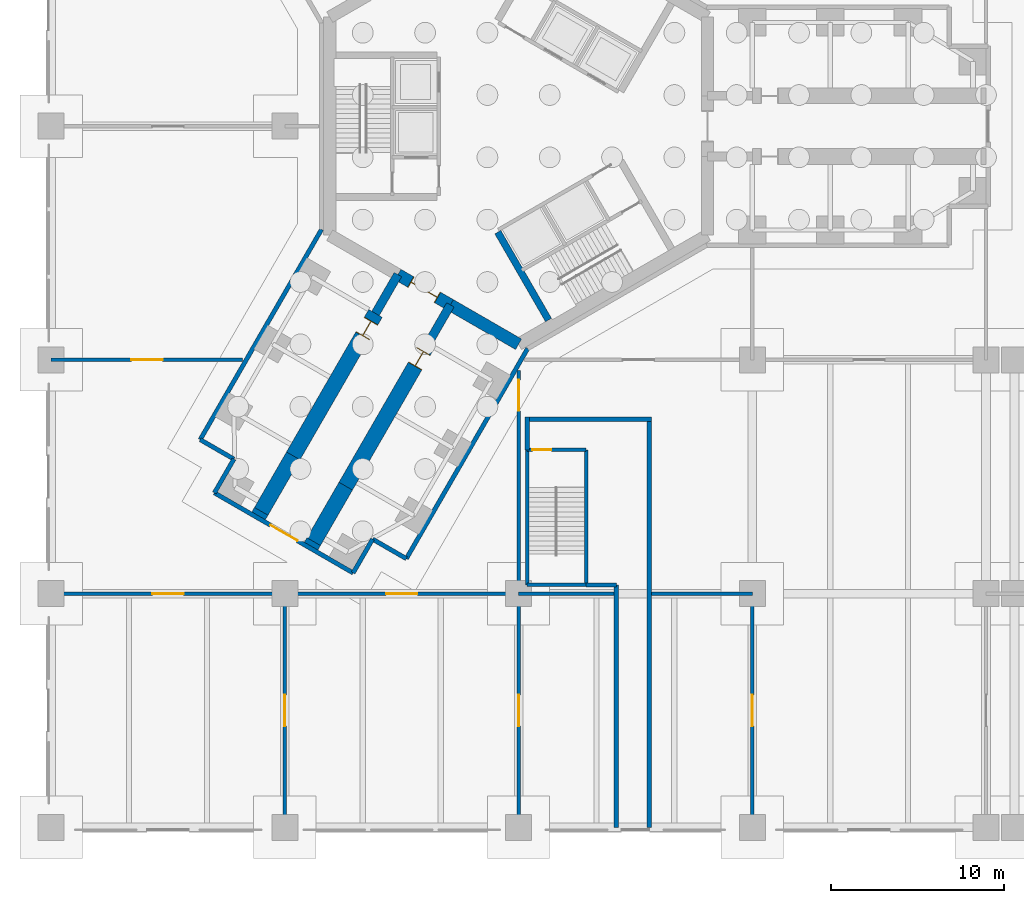
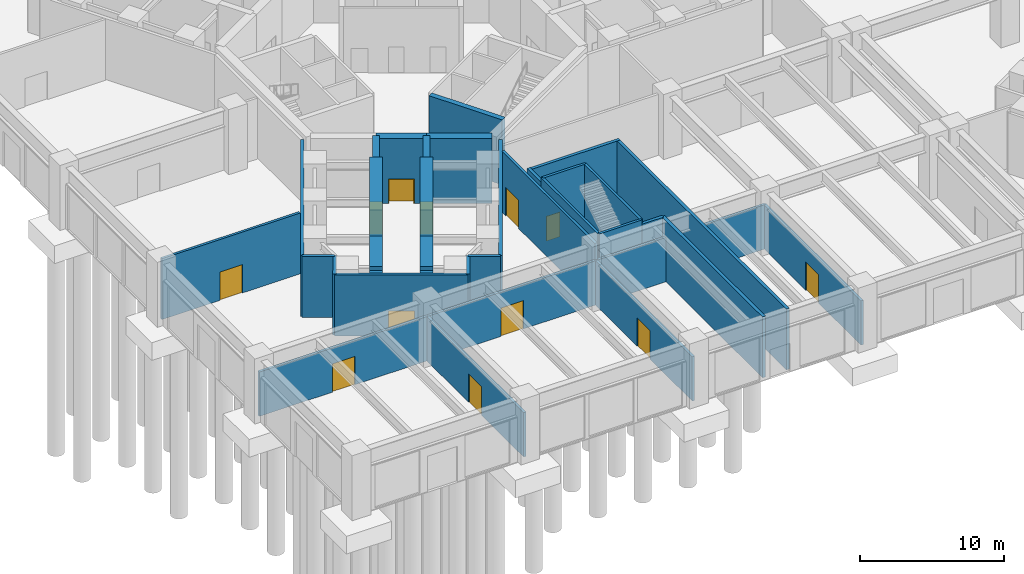
# One storey, part 5 of 18: 36 walls, 12 doors, 12 openings.
"""IFC4 building model written with IfcOpenShell, lengths in metres."""

from ifc_helpers import new_model, si_unit, direction, frame, frame_2d, origin, place, context, subcontext, project, spatial, rectangle, extrude, material, layer, layer_set, type_object, element, fill, save


model = new_model("IFC4")

# Units and contexts
model_context = context("Model", 3, precision=1e-05, world=origin(), true_north=direction((0.0, 1.0)))
body_context = subcontext(model_context, "Body", "Model", "MODEL_VIEW")
ifc_project = project(units=[si_unit("LENGTHUNIT", "METRE"), si_unit("AREAUNIT", "SQUARE_METRE"), si_unit("VOLUMEUNIT", "CUBIC_METRE"), si_unit("PLANEANGLEUNIT", "RADIAN"), si_unit("MASSUNIT", "GRAM", prefix="KILO")], contexts=[model_context])

# Site, building, storey
site_placement = place(None, origin())
site = spatial("IfcSite", under=ifc_project, at=site_placement, CompositionType="ELEMENT")
building_placement = place(site_placement, origin())
building = spatial("IfcBuilding", under=site, at=building_placement, Name="Upepo Twin Towers", CompositionType="ELEMENT")
storey_placement = place(building_placement, origin())
storey = spatial("IfcBuildingStorey", under=building, at=storey_placement, Name="L00", CompositionType="ELEMENT", Elevation=0.0)

# Walls
ifc_material_1 = material(Name="Dense concrete blockwork", Category="masonry")
ifc_layer_1 = layer(ifc_material_1, 0.89990234375)
ifc_layer_set_1 = layer_set([ifc_layer_1], Name="Buttress closer 900, blockwork with fire-stopping to the curtain wall")
wall_type_1 = type_object("IfcWallType", Name="Buttress closer 900, blockwork with fire-stopping to the curtain wall", PredefinedType="PARTITIONING", material=ifc_layer_set_1)
wall_1_placement = place(storey_placement, frame((-11.83447265625, -23.997802734375, 0.0), z_axis=(0.0, 0.0, 1.0), x_axis=(-0.499816412211, -0.866131372301, 0.0)))
element("IfcWall", 1, at=wall_1_placement, inside=storey, type_object=wall_type_1, Name="T1 L00 wing C buttress closer L", PredefinedType="PARTITIONING", context=body_context, shape_type="SweptSolid", body=[
    extrude(rectangle(XDim=0.2998046875, YDim=0.89990234375, at=frame_2d((0.14990234375, 0.0))), origin(), (0.0, 0.0, 1.0), 5.14990234375),
])
wall_2_placement = place(storey_placement, frame((-14.865478515625, -22.247802734375, 0.0), z_axis=(0.0, 0.0, 1.0), x_axis=(-0.500426713919, -0.865778900179, 0.0)))
element("IfcWall", 2, at=wall_2_placement, inside=storey, type_object=wall_type_1, Name="T1 L00 wing C buttress closer R", PredefinedType="PARTITIONING", context=body_context, shape_type="SweptSolid", body=[
    extrude(rectangle(XDim=0.300048828125, YDim=0.89990234375, at=frame_2d((0.14990234375, 0.0))), origin(), (0.0, 0.0, 1.0), 5.14990234375),
])
ifc_material_2 = material(Name="Concrete C60/75", Category="concrete")
ifc_layer_2 = layer(ifc_material_2, 0.5)
ifc_layer_set_2 = layer_set([ifc_layer_2], Name="Concrete C60/75")
wall_type_2 = type_object("IfcWallType", Name="Buttress wall 500 RC", PredefinedType="SHEAR", material=ifc_layer_set_2)
for number, where, z_axis, x_axis, name in (
    (3, (-3.938720703125, -10.32177734375, 0.0), (0.0, 0.0, 1.0), (-0.499918158782, -0.866072649678, 0.0), "T1 wing C buttress wall L"),
    (4, (-6.9697265625, -8.57177734375, 0.0), (0.0, 0.0, 1.0), (-0.499988811324, -0.866031863473, 0.0), "T1 wing C buttress wall R"),
):
    element("IfcWall", number, at=place(storey_placement, frame(where, z_axis=z_axis, x_axis=x_axis)), inside=storey, type_object=wall_type_2, Name=name, PredefinedType="SHEAR", context=body_context, shape_type="SweptSolid", body=[
        extrude(rectangle(XDim=2.591796875, YDim=0.5, at=frame_2d((1.2958984375, 0.0))), origin(), (0.0, 0.0, 1.0), 5.5),
    ])

# Wall, opening, door
ifc_material_3 = material(Name="Concrete C60/75", Category="concrete")
ifc_layer_3 = layer(ifc_material_3, 0.89990234375)
ifc_layer_set_3 = layer_set([ifc_layer_3], Name="Concrete C60/75")
wall_type_3 = type_object("IfcWallType", Name="Buttress wall 900 RC", PredefinedType="SHEAR", material=ifc_layer_set_3)
wall_3_placement = place(storey_placement, frame((-5.234375, -12.56640625, 0.0), z_axis=(0.0, 0.0, 1.0), x_axis=(-0.499997557548, -0.86602681393, 0.0)))
wall_3 = element("IfcWall", 5, at=wall_3_placement, inside=storey, type_object=wall_type_3, Name="T1 wing C buttress wall L part 2", PredefinedType="SHEAR", context=body_context, shape_type="SweptSolid", body=[
    extrude(rectangle(XDim=9.5, YDim=0.89990234375, at=frame_2d((4.75, 0.0))), origin(), (0.0, 0.0, 1.0), 5.5),
])
opening_1_placement = place(wall_3_placement, frame((0.5, 0.0, 0.0)))
opening_1 = element("IfcOpeningElement", 6, at=opening_1_placement, cuts=wall_3, Name="Opening D1", PredefinedType="OPENING", context=body_context, shape_type="SweptSolid", body=[
    extrude(rectangle(XDim=1.0, YDim=2.10009765625, at=frame_2d((0.5, 1.050048828125))), frame((0.0, 0.4599609375, 0.0), z_axis=(0.0, -1.0, 0.0), x_axis=(1.0, 0.0, 0.0)), (0.0, 0.0, 1.0), 0.919921875),
])
ifc_material_4 = material(Name="Timber doorset", Category="wood")
door_type_1 = type_object("IfcDoorType", Name="Room door 1000 FD30", OperationType="SINGLE_SWING_LEFT", PredefinedType="DOOR", material=ifc_material_4)
door_1_placement = place(opening_1_placement, origin())
door_1 = element("IfcDoor", 7, at=door_1_placement, inside=storey, type_object=door_type_1, Name="T1 L00 student advice centre door", OperationType="SINGLE_SWING_LEFT", OverallHeight=2.10009765625, OverallWidth=1.0, PredefinedType="DOOR", context=body_context, shape_type="SweptSolid", body=[
    extrude(rectangle(XDim=0.92, YDim=2.06009765625, at=frame_2d((0.5, 1.030029296875))), frame((0.0, 0.02490234375, 0.0), z_axis=(0.0, -1.0, 0.0), x_axis=(1.0, 0.0, 0.0)), (0.0, 0.0, 1.0), 0.050048828125),
    extrude(rectangle(XDim=0.04, YDim=2.10009765625, at=frame_2d((0.02001953125, 1.050048828125))), frame((0.0, 0.44970703125, 0.0), z_axis=(0.0, -1.0, 0.0), x_axis=(1.0, 0.0, 0.0)), (0.0, 0.0, 1.0), 0.8994140625),
    extrude(rectangle(XDim=0.04, YDim=2.10009765625, at=frame_2d((0.97998046875, 1.050048828125))), frame((0.0, 0.44970703125, 0.0), z_axis=(0.0, -1.0, 0.0), x_axis=(1.0, 0.0, 0.0)), (0.0, 0.0, 1.0), 0.8994140625),
    extrude(rectangle(XDim=0.92, YDim=0.04, at=frame_2d((0.5, 2.080078125))), frame((0.0, 0.44970703125, 0.0), z_axis=(0.0, -1.0, 0.0), x_axis=(1.0, 0.0, 0.0)), (0.0, 0.0, 1.0), 0.8994140625),
])
fill(opening_1, door_1)

# Wall
wall_4_placement = place(storey_placement, frame((-9.984375, -20.793701171875, 0.0), z_axis=(0.0, 0.0, 1.0), x_axis=(-0.500042316284, -0.866000971088, 0.0)))
element("IfcWall", 8, at=wall_4_placement, inside=storey, type_object=wall_type_3, Name="T1 wing C buttress wall L part 3", PredefinedType="SHEAR", context=body_context, shape_type="SweptSolid", body=[
    extrude(rectangle(XDim=3.699951171875, YDim=0.89990234375, at=frame_2d((1.85009765625, 0.0))), origin(), (0.0, 0.0, 1.0), 5.5),
])

# Wall, opening, door
wall_5_placement = place(storey_placement, frame((-8.265625, -10.81640625, 0.0), z_axis=(0.0, 0.0, 1.0), x_axis=(-0.499997557548, -0.86602681393, 0.0)))
wall_5 = element("IfcWall", 9, at=wall_5_placement, inside=storey, type_object=wall_type_3, Name="T1 wing C buttress wall R part 2", PredefinedType="SHEAR", context=body_context, shape_type="SweptSolid", body=[
    extrude(rectangle(XDim=9.5, YDim=0.89990234375, at=frame_2d((4.75, 0.0))), origin(), (0.0, 0.0, 1.0), 5.5),
])
opening_2_placement = place(wall_5_placement, frame((0.5, 0.0, 0.0)))
opening_2 = element("IfcOpeningElement", 10, at=opening_2_placement, cuts=wall_5, Name="Opening D1", PredefinedType="OPENING", context=body_context, shape_type="SweptSolid", body=[
    extrude(rectangle(XDim=1.0, YDim=2.10009765625, at=frame_2d((0.5, 1.050048828125))), frame((0.0, 0.4599609375, 0.0), z_axis=(0.0, -1.0, 0.0), x_axis=(1.0, 0.0, 0.0)), (0.0, 0.0, 1.0), 0.919921875),
])
door_2_placement = place(opening_2_placement, origin())
door_2 = element("IfcDoor", 11, at=door_2_placement, inside=storey, type_object=door_type_1, Name="T1 L00 student advice centre door", OperationType="SINGLE_SWING_LEFT", OverallHeight=2.10009765625, OverallWidth=1.0, PredefinedType="DOOR", context=body_context, shape_type="SweptSolid", body=[
    extrude(rectangle(XDim=0.92, YDim=2.06009765625, at=frame_2d((0.5, 1.030029296875))), frame((0.0, 0.02490234375, 0.0), z_axis=(0.0, -1.0, 0.0), x_axis=(1.0, 0.0, 0.0)), (0.0, 0.0, 1.0), 0.050048828125),
    extrude(rectangle(XDim=0.04, YDim=2.10009765625, at=frame_2d((0.02001953125, 1.050048828125))), frame((0.0, 0.44970703125, 0.0), z_axis=(0.0, -1.0, 0.0), x_axis=(1.0, 0.0, 0.0)), (0.0, 0.0, 1.0), 0.8994140625),
    extrude(rectangle(XDim=0.04, YDim=2.10009765625, at=frame_2d((0.97998046875, 1.050048828125))), frame((0.0, 0.44970703125, 0.0), z_axis=(0.0, -1.0, 0.0), x_axis=(1.0, 0.0, 0.0)), (0.0, 0.0, 1.0), 0.8994140625),
    extrude(rectangle(XDim=0.92, YDim=0.04, at=frame_2d((0.5, 2.080078125))), frame((0.0, 0.44970703125, 0.0), z_axis=(0.0, -1.0, 0.0), x_axis=(1.0, 0.0, 0.0)), (0.0, 0.0, 1.0), 0.8994140625),
])
fill(opening_2, door_2)

# Wall
wall_6_placement = place(storey_placement, frame((-13.015625, -19.043701171875, 0.0), z_axis=(0.0, 0.0, 1.0), x_axis=(-0.499992827086, -0.866029545028, 0.0)))
element("IfcWall", 12, at=wall_6_placement, inside=storey, type_object=wall_type_3, Name="T1 wing C buttress wall R part 3", PredefinedType="SHEAR", context=body_context, shape_type="SweptSolid", body=[
    extrude(rectangle(XDim=3.69970703125, YDim=0.89990234375, at=frame_2d((1.849853515625, 0.0))), origin(), (0.0, 0.0, 1.0), 5.5),
])

# Wall, opening, door
ifc_material_5 = material(Name="Concrete C60/75", Category="concrete")
ifc_layer_4 = layer(ifc_material_5, 0.699951171875)
ifc_layer_set_4 = layer_set([ifc_layer_4], Name="Concrete C60/75")
wall_type_4 = type_object("IfcWallType", Name="Core wall 700 RC", PredefinedType="SHEAR", material=ifc_layer_set_4)
wall_7_placement = place(storey_placement, frame((-6.9697265625, -8.57177734375, 0.0), z_axis=(0.0, 0.0, 1.0), x_axis=(0.866019471182, -0.500010275428, 0.0)))
wall_7 = element("IfcWall", 13, at=wall_7_placement, inside=storey, type_object=wall_type_4, Name="T1 core wall 240", PredefinedType="SHEAR", context=body_context, shape_type="SweptSolid", body=[
    extrude(rectangle(XDim=3.5, YDim=0.699951171875, at=frame_2d((1.75, 0.0))), origin(), (0.0, 0.0, 1.0), 5.5),
])
opening_3_placement = place(wall_7_placement, frame((0.85009765625, 0.0, 0.0)))
opening_3 = element("IfcOpeningElement", 14, at=opening_3_placement, cuts=wall_7, Name="Opening D2", PredefinedType="OPENING", context=body_context, shape_type="SweptSolid", body=[
    extrude(rectangle(XDim=1.800048828125, YDim=2.10009765625, at=frame_2d((0.89990234375, 1.050048828125))), frame((0.0, 0.35986328125, 0.0), z_axis=(0.0, -1.0, 0.0), x_axis=(1.0, 0.0, 0.0)), (0.0, 0.0, 1.0), 0.719970703125),
])
ifc_material_6 = material(Name="Timber doorset", Category="wood")
door_type_2 = type_object("IfcDoorType", Name="Corridor double door 1800 FD60", OperationType="DOUBLE_DOOR_DOUBLE_SWING", PredefinedType="DOOR", material=ifc_material_6)
door_3_placement = place(opening_3_placement, origin())
door_3 = element("IfcDoor", 15, at=door_3_placement, inside=storey, type_object=door_type_2, Name="T1 L00 wing C corridor door", OperationType="DOUBLE_DOOR_DOUBLE_SWING", OverallHeight=2.10009765625, OverallWidth=1.800048828125, PredefinedType="DOOR", context=body_context, shape_type="SweptSolid", body=[
    extrude(rectangle(XDim=1.720048828125, YDim=2.06009765625, at=frame_2d((0.89990234375, 1.030029296875))), frame((0.0, 0.02490234375, 0.0), z_axis=(0.0, -1.0, 0.0), x_axis=(1.0, 0.0, 0.0)), (0.0, 0.0, 1.0), 0.050048828125),
    extrude(rectangle(XDim=0.04, YDim=2.10009765625, at=frame_2d((0.02001953125, 1.050048828125))), frame((0.0, 0.349609375, 0.0), z_axis=(0.0, -1.0, 0.0), x_axis=(1.0, 0.0, 0.0)), (0.0, 0.0, 1.0), 0.699462890625),
    extrude(rectangle(XDim=0.04, YDim=2.10009765625, at=frame_2d((1.780029296875, 1.050048828125))), frame((0.0, 0.349609375, 0.0), z_axis=(0.0, -1.0, 0.0), x_axis=(1.0, 0.0, 0.0)), (0.0, 0.0, 1.0), 0.699462890625),
    extrude(rectangle(XDim=1.720048828125, YDim=0.04, at=frame_2d((0.89990234375, 2.080078125))), frame((0.0, 0.349609375, 0.0), z_axis=(0.0, -1.0, 0.0), x_axis=(1.0, 0.0, 0.0)), (0.0, 0.0, 1.0), 0.699462890625),
])
fill(opening_3, door_3)

# Wall
wall_8_placement = place(storey_placement, frame((-3.938720703125, -10.32177734375, 0.0), z_axis=(0.0, 0.0, 1.0), x_axis=(0.866011268655, -0.500024481964, 0.0)))
element("IfcWall", 16, at=wall_8_placement, inside=storey, type_object=wall_type_4, Name="T1 core wall 240 L", PredefinedType="SHEAR", context=body_context, shape_type="SweptSolid", body=[
    extrude(rectangle(XDim=4.548095703125, YDim=0.699951171875, at=frame_2d((2.27392578125, 0.0))), origin(), (0.0, 0.0, 1.0), 5.5),
])

# Wall, opening, door
ifc_material_7 = material(Name="Concrete blockwork", Category="masonry")
ifc_layer_5 = layer(ifc_material_7, 0.199951171875)
ifc_layer_set_5 = layer_set([ifc_layer_5], Name="Podium partition 200 blockwork")
wall_type_5 = type_object("IfcWallType", Name="Podium partition 200 blockwork", PredefinedType="PARTITIONING", material=ifc_layer_set_5)
wall_9_placement = place(storey_placement, frame((-13.5, -40.5, 0.0), z_axis=(0.0, 0.0, 1.0), x_axis=(0.0, 1.0, 0.0)))
wall_9 = element("IfcWall", 17, at=wall_9_placement, inside=storey, type_object=wall_type_5, Name="L00 podium wall X10", PredefinedType="PARTITIONING", context=body_context, shape_type="SweptSolid", body=[
    extrude(rectangle(XDim=13.5, YDim=0.199951171875, at=frame_2d((6.75, 0.0))), origin(), (0.0, 0.0, 1.0), 3.75),
])
opening_4_placement = place(wall_9_placement, frame((5.85009765625, 0.0, 0.0)))
opening_4 = element("IfcOpeningElement", 18, at=opening_4_placement, cuts=wall_9, Name="Opening D10", PredefinedType="OPENING", context=body_context, shape_type="SweptSolid", body=[
    extrude(rectangle(XDim=1.800048828125, YDim=2.39990234375, at=frame_2d((0.89990234375, 1.199951171875))), frame((0.0, 0.10986328125, 0.0), z_axis=(0.0, -1.0, 0.0), x_axis=(1.0, 0.0, 0.0)), (0.0, 0.0, 1.0), 0.219970703125),
])
ifc_material_8 = material(Name="Timber doorset", Category="wood")
door_type_3 = type_object("IfcDoorType", Name="Podium double door 1800", OperationType="DOUBLE_DOOR_DOUBLE_SWING", PredefinedType="DOOR", material=ifc_material_8)
door_4_placement = place(opening_4_placement, origin())
door_4 = element("IfcDoor", 19, at=door_4_placement, inside=storey, type_object=door_type_3, Name="L00 loading bay-bicycle store door", OperationType="DOUBLE_DOOR_DOUBLE_SWING", OverallHeight=2.39990234375, OverallWidth=1.800048828125, PredefinedType="DOOR", context=body_context, shape_type="SweptSolid", body=[
    extrude(rectangle(XDim=1.800048828125, YDim=2.39990234375, at=frame_2d((0.89990234375, 1.199951171875))), frame((0.0, 0.02490234375, 0.0), z_axis=(0.0, -1.0, 0.0), x_axis=(1.0, 0.0, 0.0)), (0.0, 0.0, 1.0), 0.050048828125),
])
fill(opening_4, door_4)

wall_10_placement = place(storey_placement, frame((-27.0, -27.0, 0.0), z_axis=(0.0, 0.0, 1.0), x_axis=(1.0, 0.0, 0.0)))
wall_10 = element("IfcWall", 20, at=wall_10_placement, inside=storey, type_object=wall_type_5, Name="L00 podium wall Y01", PredefinedType="PARTITIONING", context=body_context, shape_type="SweptSolid", body=[
    extrude(rectangle(XDim=13.5, YDim=0.199951171875, at=frame_2d((6.75, 0.0))), origin(), (0.0, 0.0, 1.0), 3.75),
])
opening_5_placement = place(wall_10_placement, frame((5.85009765625, 0.0, 0.0)))
opening_5 = element("IfcOpeningElement", 21, at=opening_5_placement, cuts=wall_10, Name="Opening D10", PredefinedType="OPENING", context=body_context, shape_type="SweptSolid", body=[
    extrude(rectangle(XDim=1.800048828125, YDim=2.39990234375, at=frame_2d((0.89990234375, 1.199951171875))), frame((0.0, 0.10986328125, 0.0), z_axis=(0.0, -1.0, 0.0), x_axis=(1.0, 0.0, 0.0)), (0.0, 0.0, 1.0), 0.219970703125),
])
door_5_placement = place(opening_5_placement, origin())
door_5 = element("IfcDoor", 22, at=door_5_placement, inside=storey, type_object=door_type_3, Name="L00 loading bay-bookshop door", OperationType="DOUBLE_DOOR_DOUBLE_SWING", OverallHeight=2.39990234375, OverallWidth=1.800048828125, PredefinedType="DOOR", context=body_context, shape_type="SweptSolid", body=[
    extrude(rectangle(XDim=1.800048828125, YDim=2.39990234375, at=frame_2d((0.89990234375, 1.199951171875))), frame((0.0, 0.02490234375, 0.0), z_axis=(0.0, -1.0, 0.0), x_axis=(1.0, 0.0, 0.0)), (0.0, 0.0, 1.0), 0.050048828125),
])
fill(opening_5, door_5)

wall_11_placement = place(storey_placement, frame((-27.0, -13.5, 0.0), z_axis=(0.0, 0.0, 1.0), x_axis=(1.0, 0.0, 0.0)))
wall_11 = element("IfcWall", 23, at=wall_11_placement, inside=storey, type_object=wall_type_5, Name="L00 podium wall Y02", PredefinedType="PARTITIONING", context=body_context, shape_type="SweptSolid", body=[
    extrude(rectangle(XDim=11.065185546875, YDim=0.199951171875, at=frame_2d((5.53271484375, 0.0))), origin(), (0.0, 0.0, 1.0), 5.14990234375),
])
opening_6_placement = place(wall_11_placement, frame((4.632568359375, 0.0, 0.0)))
opening_6 = element("IfcOpeningElement", 24, at=opening_6_placement, cuts=wall_11, Name="Opening D10", PredefinedType="OPENING", context=body_context, shape_type="SweptSolid", body=[
    extrude(rectangle(XDim=1.800048828125, YDim=2.39990234375, at=frame_2d((0.89990234375, 1.199951171875))), frame((0.0, 0.10986328125, 0.0), z_axis=(0.0, -1.0, 0.0), x_axis=(1.0, 0.0, 0.0)), (0.0, 0.0, 1.0), 0.219970703125),
])
door_6_placement = place(opening_6_placement, origin())
door_6 = element("IfcDoor", 25, at=door_6_placement, inside=storey, type_object=door_type_3, Name="L00 bookshop-fire command centre door", OperationType="DOUBLE_DOOR_DOUBLE_SWING", OverallHeight=2.39990234375, OverallWidth=1.800048828125, PredefinedType="DOOR", context=body_context, shape_type="SweptSolid", body=[
    extrude(rectangle(XDim=1.800048828125, YDim=2.39990234375, at=frame_2d((0.89990234375, 1.199951171875))), frame((0.0, 0.02490234375, 0.0), z_axis=(0.0, -1.0, 0.0), x_axis=(1.0, 0.0, 0.0)), (0.0, 0.0, 1.0), 0.050048828125),
])
fill(opening_6, door_6)

wall_12_placement = place(storey_placement, frame((0.0, -40.5, 0.0), z_axis=(0.0, 0.0, 1.0), x_axis=(0.0, 1.0, 0.0)))
wall_12 = element("IfcWall", 26, at=wall_12_placement, inside=storey, type_object=wall_type_5, Name="L00 podium wall X20", PredefinedType="PARTITIONING", context=body_context, shape_type="SweptSolid", body=[
    extrude(rectangle(XDim=13.5, YDim=0.199951171875, at=frame_2d((6.75, 0.0))), origin(), (0.0, 0.0, 1.0), 3.75),
])
opening_7_placement = place(wall_12_placement, frame((5.85009765625, 0.0, 0.0)))
opening_7 = element("IfcOpeningElement", 27, at=opening_7_placement, cuts=wall_12, Name="Opening D10", PredefinedType="OPENING", context=body_context, shape_type="SweptSolid", body=[
    extrude(rectangle(XDim=1.800048828125, YDim=2.39990234375, at=frame_2d((0.89990234375, 1.199951171875))), frame((0.0, 0.10986328125, 0.0), z_axis=(0.0, -1.0, 0.0), x_axis=(1.0, 0.0, 0.0)), (0.0, 0.0, 1.0), 0.219970703125),
])
door_7_placement = place(opening_7_placement, origin())
door_7 = element("IfcDoor", 28, at=door_7_placement, inside=storey, type_object=door_type_3, Name="L00 bicycle store-refuse store door", OperationType="DOUBLE_DOOR_DOUBLE_SWING", OverallHeight=2.39990234375, OverallWidth=1.800048828125, PredefinedType="DOOR", context=body_context, shape_type="SweptSolid", body=[
    extrude(rectangle(XDim=1.800048828125, YDim=2.39990234375, at=frame_2d((0.89990234375, 1.199951171875))), frame((0.0, 0.02490234375, 0.0), z_axis=(0.0, -1.0, 0.0), x_axis=(1.0, 0.0, 0.0)), (0.0, 0.0, 1.0), 0.050048828125),
])
fill(opening_7, door_7)

wall_13_placement = place(storey_placement, frame((-13.5, -27.0, 0.0), z_axis=(0.0, 0.0, 1.0), x_axis=(1.0, 0.0, 0.0)))
wall_13 = element("IfcWall", 29, at=wall_13_placement, inside=storey, type_object=wall_type_5, Name="L00 podium wall Y11", PredefinedType="PARTITIONING", context=body_context, shape_type="SweptSolid", body=[
    extrude(rectangle(XDim=13.5, YDim=0.199951171875, at=frame_2d((6.75, 0.0))), origin(), (0.0, 0.0, 1.0), 3.75),
])
opening_8_placement = place(wall_13_placement, frame((5.85009765625, 0.0, 0.0)))
opening_8 = element("IfcOpeningElement", 30, at=opening_8_placement, cuts=wall_13, Name="Opening D10", PredefinedType="OPENING", context=body_context, shape_type="SweptSolid", body=[
    extrude(rectangle(XDim=1.800048828125, YDim=2.39990234375, at=frame_2d((0.89990234375, 1.199951171875))), frame((0.0, 0.10986328125, 0.0), z_axis=(0.0, -1.0, 0.0), x_axis=(1.0, 0.0, 0.0)), (0.0, 0.0, 1.0), 0.219970703125),
])
door_8_placement = place(opening_8_placement, origin())
door_8 = element("IfcDoor", 31, at=door_8_placement, inside=storey, type_object=door_type_3, Name="L00 bicycle store-bookshop door", OperationType="DOUBLE_DOOR_DOUBLE_SWING", OverallHeight=2.39990234375, OverallWidth=1.800048828125, PredefinedType="DOOR", context=body_context, shape_type="SweptSolid", body=[
    extrude(rectangle(XDim=1.800048828125, YDim=2.39990234375, at=frame_2d((0.89990234375, 1.199951171875))), frame((0.0, 0.02490234375, 0.0), z_axis=(0.0, -1.0, 0.0), x_axis=(1.0, 0.0, 0.0)), (0.0, 0.0, 1.0), 0.050048828125),
])
fill(opening_8, door_8)

wall_14_placement = place(storey_placement, frame((0.0, -14.10009765625, 0.0), z_axis=(0.0, 0.0, 1.0), x_axis=(0.0, -1.0, 0.0)))
wall_14 = element("IfcWall", 32, at=wall_14_placement, inside=storey, type_object=wall_type_5, Name="L00 podium wall X21", PredefinedType="PARTITIONING", context=body_context, shape_type="SweptSolid", body=[
    extrude(rectangle(XDim=12.89990234375, YDim=0.199951171875, at=frame_2d((6.449951171875, 0.0))), origin(), (0.0, 0.0, 1.0), 5.14990234375),
])
opening_9_placement = place(wall_14_placement, frame((0.550048828125, 0.0, 0.0)))
opening_9 = element("IfcOpeningElement", 33, at=opening_9_placement, cuts=wall_14, Name="Opening D10", PredefinedType="OPENING", context=body_context, shape_type="SweptSolid", body=[
    extrude(rectangle(XDim=1.800048828125, YDim=2.39990234375, at=frame_2d((0.89990234375, 1.199951171875))), frame((0.0, 0.10986328125, 0.0), z_axis=(0.0, -1.0, 0.0), x_axis=(1.0, 0.0, 0.0)), (0.0, 0.0, 1.0), 0.219970703125),
])
door_9_placement = place(opening_9_placement, origin())
door_9 = element("IfcDoor", 34, at=door_9_placement, inside=storey, type_object=door_type_3, Name="L00 bookshop door", OperationType="DOUBLE_DOOR_SINGLE_SWING", OverallHeight=2.39990234375, OverallWidth=1.800048828125, PredefinedType="DOOR", context=body_context, shape_type="SweptSolid", body=[
    extrude(rectangle(XDim=1.800048828125, YDim=2.39990234375, at=frame_2d((0.89990234375, 1.199951171875))), frame((0.0, 0.02490234375, 0.0), z_axis=(0.0, -1.0, 0.0), x_axis=(1.0, 0.0, 0.0)), (0.0, 0.0, 1.0), 0.050048828125),
])
fill(opening_9, door_9)

wall_15_placement = place(storey_placement, frame((13.5, -40.5, 0.0), z_axis=(0.0, 0.0, 1.0), x_axis=(0.0, 1.0, 0.0)))
wall_15 = element("IfcWall", 35, at=wall_15_placement, inside=storey, type_object=wall_type_5, Name="L00 podium wall X30", PredefinedType="PARTITIONING", context=body_context, shape_type="SweptSolid", body=[
    extrude(rectangle(XDim=13.5, YDim=0.199951171875, at=frame_2d((6.75, 0.0))), origin(), (0.0, 0.0, 1.0), 3.75),
])
opening_10_placement = place(wall_15_placement, frame((5.85009765625, 0.0, 0.0)))
opening_10 = element("IfcOpeningElement", 36, at=opening_10_placement, cuts=wall_15, Name="Opening D10", PredefinedType="OPENING", context=body_context, shape_type="SweptSolid", body=[
    extrude(rectangle(XDim=1.800048828125, YDim=2.39990234375, at=frame_2d((0.89990234375, 1.199951171875))), frame((0.0, 0.10986328125, 0.0), z_axis=(0.0, -1.0, 0.0), x_axis=(1.0, 0.0, 0.0)), (0.0, 0.0, 1.0), 0.219970703125),
])
door_10_placement = place(opening_10_placement, origin())
door_10 = element("IfcDoor", 37, at=door_10_placement, inside=storey, type_object=door_type_3, Name="L00 refuse store door", OperationType="DOUBLE_DOOR_DOUBLE_SWING", OverallHeight=2.39990234375, OverallWidth=1.800048828125, PredefinedType="DOOR", context=body_context, shape_type="SweptSolid", body=[
    extrude(rectangle(XDim=1.800048828125, YDim=2.39990234375, at=frame_2d((0.89990234375, 1.199951171875))), frame((0.0, 0.02490234375, 0.0), z_axis=(0.0, -1.0, 0.0), x_axis=(1.0, 0.0, 0.0)), (0.0, 0.0, 1.0), 0.050048828125),
])
fill(opening_10, door_10)

# Walls
wall_16_placement = place(storey_placement, frame((0.0, -27.0, 0.0), z_axis=(0.0, 0.0, 1.0), x_axis=(1.0, 0.0, 0.0)))
element("IfcWall", 38, at=wall_16_placement, inside=storey, type_object=wall_type_5, Name="L00 podium wall Y21", PredefinedType="PARTITIONING", context=body_context, shape_type="SweptSolid", body=[
    extrude(rectangle(XDim=5.52490234375, YDim=0.199951171875, at=frame_2d((2.762451171875, 0.0))), origin(), (0.0, 0.0, 1.0), 3.75),
])
wall_17_placement = place(storey_placement, frame((7.675048828125, -27.0, 0.0), z_axis=(0.0, 0.0, 1.0), x_axis=(1.0, 0.0, 0.0)))
element("IfcWall", 39, at=wall_17_placement, inside=storey, type_object=wall_type_5, Name="L00 podium wall Y21", PredefinedType="PARTITIONING", context=body_context, shape_type="SweptSolid", body=[
    extrude(rectangle(XDim=5.824951171875, YDim=0.199951171875, at=frame_2d((2.91259765625, 0.0))), origin(), (0.0, 0.0, 1.0), 3.75),
])
ifc_material_9 = material(Name="Concrete C40/50", Category="concrete")
ifc_layer_6 = layer(ifc_material_9, 0.199951171875)
ifc_layer_set_6 = layer_set([ifc_layer_6], Name="Concrete C40/50")
wall_type_6 = type_object("IfcWallType", Name="Podium stair enclosure 200 RC", PredefinedType="SHEAR", material=ifc_layer_set_6)
wall_18_placement = place(storey_placement, frame((0.5, -26.5, 0.0), z_axis=(0.0, 0.0, 1.0), x_axis=(1.0, 0.0, 0.0)))
element("IfcWall", 40, at=wall_18_placement, inside=storey, type_object=wall_type_6, Name="PS3 L00 enclosure wall 1", PredefinedType="SHEAR", context=body_context, shape_type="SweptSolid", body=[
    extrude(rectangle(XDim=3.39990234375, YDim=0.199951171875, at=frame_2d((1.699951171875, 0.0))), origin(), (0.0, 0.0, 1.0), 5.5),
])
wall_19_placement = place(storey_placement, frame((3.89990234375, -26.5, 0.0), z_axis=(0.0, 0.0, 1.0), x_axis=(0.0, 1.0, 0.0)))
element("IfcWall", 41, at=wall_19_placement, inside=storey, type_object=wall_type_6, Name="PS3 L00 enclosure wall 2", PredefinedType="SHEAR", context=body_context, shape_type="SweptSolid", body=[
    extrude(rectangle(XDim=7.800048828125, YDim=0.199951171875, at=frame_2d((3.89990234375, 0.0))), origin(), (0.0, 0.0, 1.0), 5.5),
])

# Wall, opening, door
wall_20_placement = place(storey_placement, frame((3.89990234375, -18.699951171875, 0.0), z_axis=(0.0, 0.0, 1.0), x_axis=(-1.0, 0.0, 0.0)))
wall_20 = element("IfcWall", 42, at=wall_20_placement, inside=storey, type_object=wall_type_6, Name="PS3 L00 enclosure wall 3", PredefinedType="SHEAR", context=body_context, shape_type="SweptSolid", body=[
    extrude(rectangle(XDim=3.39990234375, YDim=0.199951171875, at=frame_2d((1.699951171875, 0.0))), origin(), (0.0, 0.0, 1.0), 5.5),
])
opening_11_placement = place(wall_20_placement, frame((2.0, 0.0, 0.0)))
opening_11 = element("IfcOpeningElement", 43, at=opening_11_placement, cuts=wall_20, Name="Opening D3", PredefinedType="OPENING", context=body_context, shape_type="SweptSolid", body=[
    extrude(rectangle(XDim=1.10009765625, YDim=2.10009765625, at=frame_2d((0.550048828125, 1.050048828125))), frame((0.0, 0.10986328125, 0.0), z_axis=(0.0, -1.0, 0.0), x_axis=(1.0, 0.0, 0.0)), (0.0, 0.0, 1.0), 0.219970703125),
])
ifc_material_10 = material(Name="Timber doorset", Category="wood")
door_type_4 = type_object("IfcDoorType", Name="Stair door 1100 FD60", OperationType="SINGLE_SWING_LEFT", PredefinedType="DOOR", material=ifc_material_10)
door_11_placement = place(opening_11_placement, origin())
door_11 = element("IfcDoor", 44, at=door_11_placement, inside=storey, type_object=door_type_4, Name="PS3 L00 door", OperationType="SINGLE_SWING_RIGHT", OverallHeight=2.10009765625, OverallWidth=1.10009765625, PredefinedType="DOOR", context=body_context, shape_type="SweptSolid", body=[
    extrude(rectangle(XDim=1.10009765625, YDim=2.10009765625, at=frame_2d((0.550048828125, 1.050048828125))), frame((0.0, 0.02490234375, 0.0), z_axis=(0.0, -1.0, 0.0), x_axis=(1.0, 0.0, 0.0)), (0.0, 0.0, 1.0), 0.050048828125),
])
fill(opening_11, door_11)

# Walls
wall_21_placement = place(storey_placement, frame((0.5, -18.699951171875, 0.0), z_axis=(0.0, 0.0, 1.0), x_axis=(0.0, -1.0, 0.0)))
element("IfcWall", 45, at=wall_21_placement, inside=storey, type_object=wall_type_6, Name="PS3 L00 enclosure wall 4", PredefinedType="SHEAR", context=body_context, shape_type="SweptSolid", body=[
    extrude(rectangle(XDim=7.800048828125, YDim=0.199951171875, at=frame_2d((3.89990234375, 0.0))), origin(), (0.0, 0.0, 1.0), 5.5),
])
ifc_material_11 = material(Name="Concrete C40/50", Category="concrete")
ifc_layer_7 = layer(ifc_material_11, 0.25)
ifc_layer_set_7 = layer_set([ifc_layer_7], Name="Concrete C40/50")
wall_type_7 = type_object("IfcWallType", Name="Refuge fire wall 250 RC", PredefinedType="STANDARD", material=ifc_layer_set_7)
wall_22_placement = place(storey_placement, frame((0.39990234375, -16.925048828125, 0.0), z_axis=(0.0, 0.0, 1.0), x_axis=(1.0, 0.0, 0.0)))
element("IfcWall", 46, at=wall_22_placement, inside=storey, type_object=wall_type_7, Name="PS3 exit passageway wall N", PredefinedType="STANDARD", context=body_context, shape_type="SweptSolid", body=[
    extrude(rectangle(XDim=7.275146484375, YDim=0.25, at=frame_2d((3.6376953125, 0.0))), origin(), (0.0, 0.0, 1.0), 5.14990234375),
])
wall_23_placement = place(storey_placement, frame((0.5, -18.699951171875, 0.0), z_axis=(0.0, 0.0, 1.0), x_axis=(0.0, 1.0, 0.0)))
element("IfcWall", 47, at=wall_23_placement, inside=storey, type_object=wall_type_7, Name="PS3 exit passageway wall W", PredefinedType="STANDARD", context=body_context, shape_type="SweptSolid", body=[
    extrude(rectangle(XDim=1.89990234375, YDim=0.25, at=frame_2d((0.949951171875, 0.0))), origin(), (0.0, 0.0, 1.0), 5.14990234375),
])
wall_24_placement = place(storey_placement, frame((3.89990234375, -26.5, 0.0), z_axis=(0.0, 0.0, 1.0), x_axis=(1.0, 0.0, 0.0)))
element("IfcWall", 48, at=wall_24_placement, inside=storey, type_object=wall_type_7, Name="PS3 exit passageway wall S", PredefinedType="STANDARD", context=body_context, shape_type="SweptSolid", body=[
    extrude(rectangle(XDim=1.75, YDim=0.25, at=frame_2d((0.875, 0.0))), origin(), (0.0, 0.0, 1.0), 5.14990234375),
])
wall_25_placement = place(storey_placement, frame((5.64990234375, -26.5, 0.0), z_axis=(0.0, 0.0, 1.0), x_axis=(0.0, -1.0, 0.0)))
element("IfcWall", 49, at=wall_25_placement, inside=storey, type_object=wall_type_7, Name="PS3 exit passageway wall E1", PredefinedType="STANDARD", context=body_context, shape_type="SweptSolid", body=[
    extrude(rectangle(XDim=14.0, YDim=0.25, at=frame_2d((7.0, 0.0))), origin(), (0.0, 0.0, 1.0), 5.14990234375),
])
wall_26_placement = place(storey_placement, frame((7.550048828125, -16.800048828125, 0.0), z_axis=(0.0, 0.0, 1.0), x_axis=(0.0, -1.0, 0.0)))
element("IfcWall", 50, at=wall_26_placement, inside=storey, type_object=wall_type_7, Name="PS3 exit passageway wall E2", PredefinedType="STANDARD", context=body_context, shape_type="SweptSolid", body=[
    extrude(rectangle(XDim=23.699951171875, YDim=0.25, at=frame_2d((11.85009765625, 0.0))), origin(), (0.0, 0.0, 1.0), 5.14990234375),
])
ifc_material_12 = material(Name="Concrete C40/50", Category="concrete")
ifc_layer_8 = layer(ifc_material_12, 0.39990234375)
ifc_layer_set_8 = layer_set([ifc_layer_8], Name="Concrete C40/50")
wall_type_8 = type_object("IfcWallType", Name="Shaft wall 400 RC", PredefinedType="SHEAR", material=ifc_layer_set_8)
wall_27_placement = place(storey_placement, frame((-1.20068359375, -6.120361328125, 0.0), z_axis=(0.0, 0.0, 1.0), x_axis=(0.500002627198, -0.866023886965, 0.0)))
element("IfcWall", 51, at=wall_27_placement, inside=storey, type_object=wall_type_8, Name="T1 core W300 side wall S", PredefinedType="SHEAR", context=body_context, shape_type="SweptSolid", body=[
    extrude(rectangle(XDim=5.8583984375, YDim=0.39990234375, at=frame_2d((2.92919921875, 0.0))), origin(), (0.0, 0.0, 1.0), 5.5),
])
ifc_material_13 = material(Name="Concrete blockwork", Category="masonry")
ifc_layer_9 = layer(ifc_material_13, 0.25)
ifc_layer_set_9 = layer_set([ifc_layer_9], Name="Tower enclosure wall 250 blockwork")
wall_type_9 = type_object("IfcWallType", Name="Tower enclosure wall 250 blockwork", PredefinedType="STANDARD", material=ifc_layer_set_9)
wall_28_placement = place(storey_placement, frame((-8.43212890625, -23.85498046875, 0.0), z_axis=(0.0, 0.0, 1.0), x_axis=(-0.500013631625, -0.866017533419, 0.0)))
element("IfcWall", 52, at=wall_28_placement, inside=storey, type_object=wall_type_9, Name="T1 L00 enclosure wall 1", PredefinedType="STANDARD", context=body_context, shape_type="SweptSolid", body=[
    extrude(rectangle(XDim=2.25, YDim=0.25, at=frame_2d((1.125, 0.0))), origin(), (0.0, 0.0, 1.0), 5.14990234375),
])

# Wall, opening, door
wall_29_placement = place(storey_placement, frame((-9.55712890625, -25.803466796875, 0.0), z_axis=(0.0, 0.0, 1.0), x_axis=(-0.866025598446, 0.499999662836, 0.0)))
wall_29 = element("IfcWall", 53, at=wall_29_placement, inside=storey, type_object=wall_type_9, Name="T1 L00 enclosure wall 2", PredefinedType="STANDARD", context=body_context, shape_type="SweptSolid", body=[
    extrude(rectangle(XDim=9.25, YDim=0.25, at=frame_2d((4.625, 0.0))), origin(), (0.0, 0.0, 1.0), 5.14990234375),
])
opening_12_placement = place(wall_29_placement, frame((3.72509765625, 0.0, 0.0)))
opening_12 = element("IfcOpeningElement", 54, at=opening_12_placement, cuts=wall_29, Name="Opening D2", PredefinedType="OPENING", context=body_context, shape_type="SweptSolid", body=[
    extrude(rectangle(XDim=1.800048828125, YDim=2.10009765625, at=frame_2d((0.89990234375, 1.050048828125))), frame((0.0, 0.135009765625, 0.0), z_axis=(0.0, -1.0, 0.0), x_axis=(1.0, 0.0, 0.0)), (0.0, 0.0, 1.0), 0.27001953125),
])
door_12_placement = place(opening_12_placement, origin())
door_12 = element("IfcDoor", 55, at=door_12_placement, inside=storey, type_object=door_type_2, Name="T1 L00 wing C podium door", OperationType="DOUBLE_DOOR_DOUBLE_SWING", OverallHeight=2.10009765625, OverallWidth=1.800048828125, PredefinedType="DOOR", context=body_context, shape_type="SweptSolid", body=[
    extrude(rectangle(XDim=1.800048828125, YDim=2.10009765625, at=frame_2d((0.89990234375, 1.050048828125))), frame((0.0, 0.02490234375, 0.0), z_axis=(0.0, -1.0, 0.0), x_axis=(1.0, 0.0, 0.0)), (0.0, 0.0, 1.0), 0.050048828125),
])
fill(opening_12, door_12)

# Walls
for number, where, z_axis, x_axis, name in (
    (56, (-17.56787109375, -21.178466796875, 0.0), (0.0, 0.0, 1.0), (0.500013631625, 0.866017533419, 0.0), "T1 L00 enclosure wall 3"),
    (57, (-16.44287109375, -19.22998046875, 0.0), (0.0, 0.0, 1.0), (-0.866017533419, 0.500013631625, 0.0), "T1 L00 enclosure wall 4"),
):
    element("IfcWall", number, at=place(storey_placement, frame(where, z_axis=z_axis, x_axis=x_axis)), inside=storey, type_object=wall_type_9, Name=name, PredefinedType="STANDARD", context=body_context, shape_type="SweptSolid", body=[
        extrude(rectangle(XDim=2.25, YDim=0.25, at=frame_2d((1.125, 0.0))), origin(), (0.0, 0.0, 1.0), 5.14990234375),
    ])
for number, where, z_axis, x_axis, name in (
    (58, (-18.391357421875, -18.10498046875, 0.0), (0.0, 0.0, 1.0), (0.499996367808, 0.866027500821, 0.0), "T1 L00 enclosure wall 5"),
    (59, (0.5244140625, -12.841552734375, 0.0), (0.0, 0.0, 1.0), (-0.499996367808, -0.866027500821, 0.0), "T1 L00 enclosure wall 23"),
):
    element("IfcWall", number, at=place(storey_placement, frame(where, z_axis=z_axis, x_axis=x_axis)), inside=storey, type_object=wall_type_9, Name=name, PredefinedType="STANDARD", context=body_context, shape_type="SweptSolid", body=[
        extrude(rectangle(XDim=14.01611328125, YDim=0.25, at=frame_2d((7.008056640625, 0.0))), origin(), (0.0, 0.0, 1.0), 5.14990234375),
    ])
wall_30_placement = place(storey_placement, frame((-6.483642578125, -24.97998046875, 0.0), z_axis=(0.0, 0.0, 1.0), x_axis=(-0.866017533419, 0.500013631625, 0.0)))
element("IfcWall", 60, at=wall_30_placement, inside=storey, type_object=wall_type_9, Name="T1 L00 enclosure wall 24", PredefinedType="STANDARD", context=body_context, shape_type="SweptSolid", body=[
    extrude(rectangle(XDim=2.25, YDim=0.25, at=frame_2d((1.125, 0.0))), origin(), (0.0, 0.0, 1.0), 5.14990234375),
])

save(model, "model.ifc")
